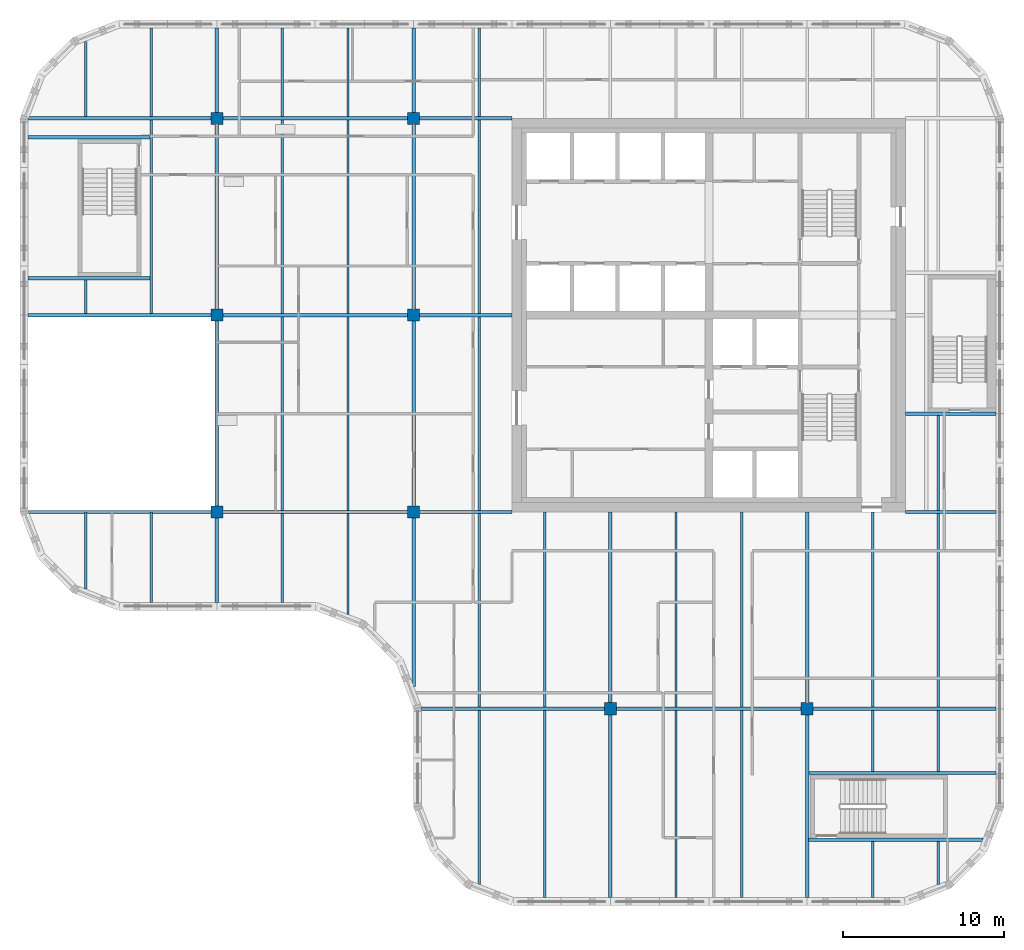
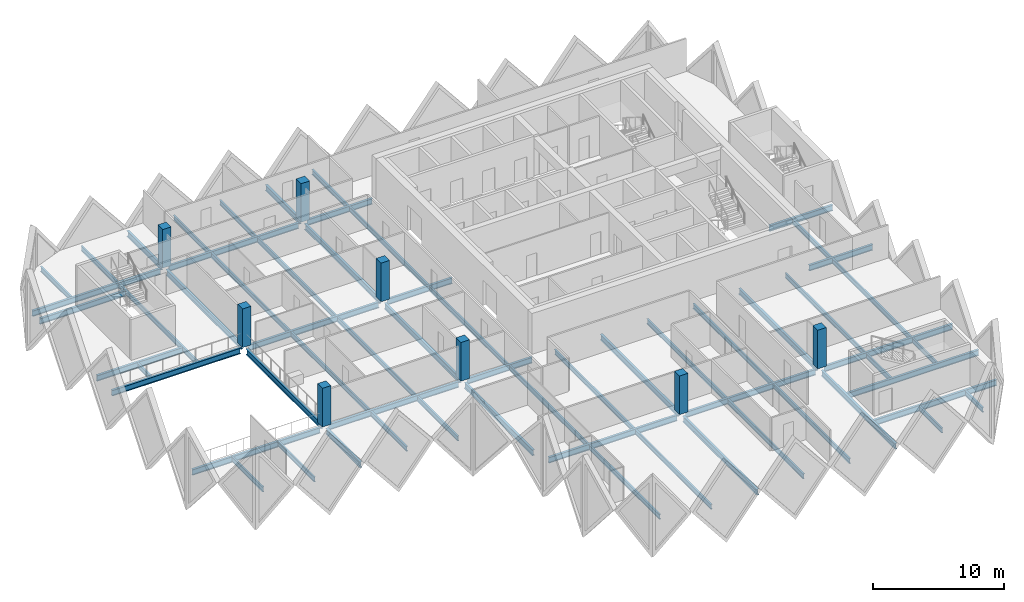
# One storey, part 1 of 12: 62 beams, 8 columns.
"""IFC4 building model written with IfcOpenShell, lengths in metres."""

from ifc_helpers import new_model, si_unit, direction, frame, origin, origin_2d, place, context, subcontext, project, spatial, rectangle, i_section, extrude, material, material_profile, profile_set, type_object, element, save


model = new_model("IFC4")

# Units and contexts
model_context = context("Model", 3, precision=1e-05, world=origin(), true_north=direction((0.0, 1.0)))
body_context = subcontext(model_context, "Body", "Model", "MODEL_VIEW")
ifc_project = project(units=[si_unit("LENGTHUNIT", "METRE"), si_unit("AREAUNIT", "SQUARE_METRE"), si_unit("VOLUMEUNIT", "CUBIC_METRE"), si_unit("PLANEANGLEUNIT", "RADIAN"), si_unit("MASSUNIT", "GRAM", prefix="KILO")], contexts=[model_context])

# Site, building, storey
site_placement = place(None, origin())
site = spatial("IfcSite", under=ifc_project, at=site_placement, CompositionType="ELEMENT")
building_placement = place(site_placement, origin())
building = spatial("IfcBuilding", under=site, at=building_placement, Name="Tessera Gate Towers", CompositionType="ELEMENT")
storey_placement = place(building_placement, frame((0.0, 0.0, 159.199951171875)))
storey = spatial("IfcBuildingStorey", under=building, at=storey_placement, Name="L39", CompositionType="ELEMENT", Elevation=159.199951171875)

# Columns
ifc_material_1 = material(Name="Concrete C70/85", Category="concrete")
ifc_material_profile_1 = material_profile(ifc_material_1, rectangle(XDim=0.75, YDim=0.75, at=origin_2d()), Name="RC 750x750")
ifc_profile_set_1 = profile_set([ifc_material_profile_1], Name="Concrete C70/85")
column_type = type_object("IfcColumnType", Name="COLUMN RC 750x750", PredefinedType="COLUMN", material=ifc_profile_set_1)
for number, where, z_axis, x_axis, name in (
    (1, (12.199951171875, 24.39990234375, 0.0), (0.0, 0.0, 1.0), (1.0, 0.0, 0.0), "T1-COL-2C-L39"),
    (2, (12.199951171875, 36.60009765625, 0.0), (0.0, 0.0, 1.0), (1.0, 0.0, 0.0), "T1-COL-2D-L39"),
    (3, (12.199951171875, 48.800048828125, 0.0), (0.0, 0.0, 1.0), (1.0, 0.0, 0.0), "T1-COL-2E-L39"),
    (4, (24.39990234375, 24.39990234375, 0.0), (0.0, 0.0, 1.0), (1.0, 0.0, 0.0), "T1-COL-3C-L39"),
    (5, (24.39990234375, 36.60009765625, 0.0), (0.0, 0.0, 1.0), (1.0, 0.0, 0.0), "T1-COL-3D-L39"),
    (6, (24.39990234375, 48.800048828125, 0.0), (0.0, 0.0, 1.0), (1.0, 0.0, 0.0), "T1-COL-3E-L39"),
    (7, (36.60009765625, 12.199951171875, 0.0), (0.0, 0.0, 1.0), (1.0, 0.0, 0.0), "T1-COL-4B-L39"),
    (8, (48.800048828125, 12.199951171875, 0.0), (0.0, 0.0, 1.0), (1.0, 0.0, 0.0), "T1-COL-5B-L39"),
):
    element("IfcColumn", number, at=place(storey_placement, frame(where, z_axis=z_axis, x_axis=x_axis)), inside=storey, type_object=column_type, Name=name, PredefinedType="COLUMN", context=body_context, shape_type="SweptSolid", body=[
        extrude(rectangle(XDim=0.75, YDim=0.75, at=origin_2d()), origin(), (0.0, 0.0, 1.0), 3.60009765625),
    ])

# Beams
ifc_material_2 = material(Name="Steel 350W", Category="steel")
ifc_material_profile_2 = material_profile(ifc_material_2, i_section(OverallWidth=0.208984375, OverallDepth=0.532958984375, WebThickness=0.01025390625, FlangeThickness=0.015625, at=origin_2d()), Name="W530x92")
ifc_profile_set_2 = profile_set([ifc_material_profile_2], Name="Steel 350W")
beam_type_1 = type_object("IfcBeamType", Name="FLOOR GIRDER W530x92", PredefinedType="BEAM", material=ifc_profile_set_2)
beam_1_placement = place(storey_placement, frame((24.89892578125, 12.199951171875, -0.466552734375), z_axis=(1.0, 0.0, 0.0), x_axis=(0.0, 1.0, 0.0)))
element("IfcBeam", 9, at=beam_1_placement, inside=storey, type_object=beam_type_1, Name="T1-GD-L39-4442", PredefinedType="BEAM", context=body_context, shape_type="SweptSolid", body=[
    extrude(i_section(OverallWidth=0.208984375, OverallDepth=0.532958984375, WebThickness=0.01025390625, FlangeThickness=0.015625, at=origin_2d()), origin(), (0.0, 0.0, 1.0), 11.326171875),
])
beam_2_placement = place(storey_placement, frame((36.97509765625, 12.199951171875, -0.466552734375), z_axis=(1.0, 0.0, 0.0), x_axis=(0.0, 1.0, 0.0)))
element("IfcBeam", 10, at=beam_2_placement, inside=storey, type_object=beam_type_1, Name="T1-GD-L39-4443", PredefinedType="BEAM", context=body_context, shape_type="SweptSolid", body=[
    extrude(i_section(OverallWidth=0.208984375, OverallDepth=0.532958984375, WebThickness=0.01025390625, FlangeThickness=0.015625, at=origin_2d()), origin(), (0.0, 0.0, 1.0), 11.449951171875),
])
beam_3_placement = place(storey_placement, frame((49.175048828125, 12.199951171875, -0.466552734375), z_axis=(1.0, 0.0, 0.0), x_axis=(0.0, 1.0, 0.0)))
element("IfcBeam", 11, at=beam_3_placement, inside=storey, type_object=beam_type_1, Name="T1-GD-L39-4444", PredefinedType="BEAM", context=body_context, shape_type="SweptSolid", body=[
    extrude(i_section(OverallWidth=0.208984375, OverallDepth=0.532958984375, WebThickness=0.01025390625, FlangeThickness=0.015625, at=origin_2d()), origin(), (0.0, 0.0, 1.0), 11.325927734375),
])
beam_4_placement = place(storey_placement, frame((0.534912109375, 24.39990234375, -0.466552734375), z_axis=(1.0, 0.0, 0.0), x_axis=(0.0, 1.0, 0.0)))
element("IfcBeam", 12, at=beam_4_placement, inside=storey, type_object=beam_type_1, Name="T1-GD-L39-4445", PredefinedType="BEAM", context=body_context, shape_type="SweptSolid", body=[
    extrude(i_section(OverallWidth=0.208984375, OverallDepth=0.532958984375, WebThickness=0.01025390625, FlangeThickness=0.015625, at=origin_2d()), origin(), (0.0, 0.0, 1.0), 11.2900390625),
])
beam_5_placement = place(storey_placement, frame((12.574951171875, 24.39990234375, -0.466552734375), z_axis=(1.0, 0.0, 0.0), x_axis=(0.0, 1.0, 0.0)))
element("IfcBeam", 13, at=beam_5_placement, inside=storey, type_object=beam_type_1, Name="T1-GD-L39-4446", PredefinedType="BEAM", context=body_context, shape_type="SweptSolid", body=[
    extrude(i_section(OverallWidth=0.208984375, OverallDepth=0.532958984375, WebThickness=0.01025390625, FlangeThickness=0.015625, at=origin_2d()), origin(), (0.0, 0.0, 1.0), 11.449951171875),
])
beam_6_placement = place(storey_placement, frame((24.77490234375, 24.39990234375, -0.466552734375), z_axis=(1.0, 0.0, 0.0), x_axis=(0.0, 1.0, 0.0)))
element("IfcBeam", 14, at=beam_6_placement, inside=storey, type_object=beam_type_1, Name="T1-GD-L39-4447", PredefinedType="BEAM", context=body_context, shape_type="SweptSolid", body=[
    extrude(i_section(OverallWidth=0.208984375, OverallDepth=0.532958984375, WebThickness=0.01025390625, FlangeThickness=0.015625, at=origin_2d()), origin(), (0.0, 0.0, 1.0), 5.72412109375),
])
beam_7_placement = place(storey_placement, frame((54.90087890625, 24.39990234375, -0.466552734375), z_axis=(1.0, 0.0, 0.0), x_axis=(0.0, 1.0, 0.0)))
element("IfcBeam", 15, at=beam_7_placement, inside=storey, type_object=beam_type_1, Name="T1-GD-L39-4448", PredefinedType="BEAM", context=body_context, shape_type="SweptSolid", body=[
    extrude(i_section(OverallWidth=0.208984375, OverallDepth=0.532958984375, WebThickness=0.01025390625, FlangeThickness=0.015625, at=origin_2d()), origin(), (0.0, 0.0, 1.0), 5.60009765625),
])
beam_8_placement = place(storey_placement, frame((0.4990234375, 36.60009765625, -0.466552734375), z_axis=(1.0, 0.0, 0.0), x_axis=(0.0, 1.0, 0.0)))
element("IfcBeam", 16, at=beam_8_placement, inside=storey, type_object=beam_type_1, Name="T1-GD-L39-4449", PredefinedType="BEAM", context=body_context, shape_type="SweptSolid", body=[
    extrude(i_section(OverallWidth=0.208984375, OverallDepth=0.532958984375, WebThickness=0.01025390625, FlangeThickness=0.015625, at=origin_2d()), origin(), (0.0, 0.0, 1.0), 11.325927734375),
])
beam_9_placement = place(storey_placement, frame((12.574951171875, 36.60009765625, -0.466552734375), z_axis=(1.0, 0.0, 0.0), x_axis=(0.0, 1.0, 0.0)))
element("IfcBeam", 17, at=beam_9_placement, inside=storey, type_object=beam_type_1, Name="T1-GD-L39-4450", PredefinedType="BEAM", context=body_context, shape_type="SweptSolid", body=[
    extrude(i_section(OverallWidth=0.208984375, OverallDepth=0.532958984375, WebThickness=0.01025390625, FlangeThickness=0.015625, at=origin_2d()), origin(), (0.0, 0.0, 1.0), 11.449951171875),
])
beam_10_placement = place(storey_placement, frame((24.77490234375, 36.60009765625, -0.466552734375), z_axis=(1.0, 0.0, 0.0), x_axis=(0.0, 1.0, 0.0)))
element("IfcBeam", 18, at=beam_10_placement, inside=storey, type_object=beam_type_1, Name="T1-GD-L39-4451", PredefinedType="BEAM", context=body_context, shape_type="SweptSolid", body=[
    extrude(i_section(OverallWidth=0.208984375, OverallDepth=0.532958984375, WebThickness=0.01025390625, FlangeThickness=0.015625, at=origin_2d()), origin(), (0.0, 0.0, 1.0), 5.72607421875),
])
beam_11_placement = place(storey_placement, frame((0.534912109375, 48.800048828125, -0.466552734375), z_axis=(1.0, 0.0, 0.0), x_axis=(0.0, 1.0, 0.0)))
element("IfcBeam", 19, at=beam_11_placement, inside=storey, type_object=beam_type_1, Name="T1-GD-L39-4453", PredefinedType="BEAM", context=body_context, shape_type="SweptSolid", body=[
    extrude(i_section(OverallWidth=0.208984375, OverallDepth=0.532958984375, WebThickness=0.01025390625, FlangeThickness=0.015625, at=origin_2d()), origin(), (0.0, 0.0, 1.0), 11.2900390625),
])
beam_12_placement = place(storey_placement, frame((12.574951171875, 48.800048828125, -0.466552734375), z_axis=(1.0, 0.0, 0.0), x_axis=(0.0, 1.0, 0.0)))
element("IfcBeam", 20, at=beam_12_placement, inside=storey, type_object=beam_type_1, Name="T1-GD-L39-4454", PredefinedType="BEAM", context=body_context, shape_type="SweptSolid", body=[
    extrude(i_section(OverallWidth=0.208984375, OverallDepth=0.532958984375, WebThickness=0.01025390625, FlangeThickness=0.015625, at=origin_2d()), origin(), (0.0, 0.0, 1.0), 11.449951171875),
])
beam_13_placement = place(storey_placement, frame((24.77490234375, 48.800048828125, -0.466552734375), z_axis=(1.0, 0.0, 0.0), x_axis=(0.0, 1.0, 0.0)))
element("IfcBeam", 21, at=beam_13_placement, inside=storey, type_object=beam_type_1, Name="T1-GD-L39-4455", PredefinedType="BEAM", context=body_context, shape_type="SweptSolid", body=[
    extrude(i_section(OverallWidth=0.208984375, OverallDepth=0.532958984375, WebThickness=0.01025390625, FlangeThickness=0.015625, at=origin_2d()), origin(), (0.0, 0.0, 1.0), 5.72412109375),
])
beam_14_placement = place(storey_placement, frame((12.199951171875, 18.799072265625, -0.466552734375), z_axis=(0.0, 1.0, 0.0), x_axis=(-1.0, 0.0, 0.0)))
element("IfcBeam", 22, at=beam_14_placement, inside=storey, type_object=beam_type_1, Name="T1-GD-L39-4457", PredefinedType="BEAM", context=body_context, shape_type="SweptSolid", body=[
    extrude(i_section(OverallWidth=0.208984375, OverallDepth=0.532958984375, WebThickness=0.01025390625, FlangeThickness=0.015625, at=origin_2d()), origin(), (0.0, 0.0, 1.0), 5.225830078125),
])
beam_15_placement = place(storey_placement, frame((12.199951171875, 24.77490234375, -0.466552734375), z_axis=(0.0, 1.0, 0.0), x_axis=(-1.0, 0.0, 0.0)))
element("IfcBeam", 23, at=beam_15_placement, inside=storey, type_object=beam_type_1, Name="T1-GD-L39-4458", PredefinedType="BEAM", context=body_context, shape_type="SweptSolid", body=[
    extrude(i_section(OverallWidth=0.208984375, OverallDepth=0.532958984375, WebThickness=0.01025390625, FlangeThickness=0.015625, at=origin_2d()), origin(), (0.0, 0.0, 1.0), 11.4501953125),
])
beam_16_placement = place(storey_placement, frame((12.199951171875, 36.97509765625, -0.466552734375), z_axis=(0.0, 1.0, 0.0), x_axis=(-1.0, 0.0, 0.0)))
element("IfcBeam", 24, at=beam_16_placement, inside=storey, type_object=beam_type_1, Name="T1-GD-L39-4459", PredefinedType="BEAM", context=body_context, shape_type="SweptSolid", body=[
    extrude(i_section(OverallWidth=0.208984375, OverallDepth=0.532958984375, WebThickness=0.01025390625, FlangeThickness=0.015625, at=origin_2d()), origin(), (0.0, 0.0, 1.0), 11.449951171875),
])
beam_17_placement = place(storey_placement, frame((12.199951171875, 49.175048828125, -0.466552734375), z_axis=(0.0, 1.0, 0.0), x_axis=(-1.0, 0.0, 0.0)))
element("IfcBeam", 25, at=beam_17_placement, inside=storey, type_object=beam_type_1, Name="T1-GD-L39-4460", PredefinedType="BEAM", context=body_context, shape_type="SweptSolid", body=[
    extrude(i_section(OverallWidth=0.208984375, OverallDepth=0.532958984375, WebThickness=0.01025390625, FlangeThickness=0.015625, at=origin_2d()), origin(), (0.0, 0.0, 1.0), 5.225830078125),
])
beam_18_placement = place(storey_placement, frame((24.39990234375, 13.58642578125, -0.466552734375), z_axis=(0.0, 1.0, 0.0), x_axis=(-1.0, 0.0, 0.0)))
element("IfcBeam", 26, at=beam_18_placement, inside=storey, type_object=beam_type_1, Name="T1-GD-L39-4461", PredefinedType="BEAM", context=body_context, shape_type="SweptSolid", body=[
    extrude(i_section(OverallWidth=0.208984375, OverallDepth=0.532958984375, WebThickness=0.01025390625, FlangeThickness=0.015625, at=origin_2d()), origin(), (0.0, 0.0, 1.0), 10.4384765625),
])
beam_19_placement = place(storey_placement, frame((24.39990234375, 24.77490234375, -0.466552734375), z_axis=(0.0, 1.0, 0.0), x_axis=(-1.0, 0.0, 0.0)))
element("IfcBeam", 27, at=beam_19_placement, inside=storey, type_object=beam_type_1, Name="T1-GD-L39-4462", PredefinedType="BEAM", context=body_context, shape_type="SweptSolid", body=[
    extrude(i_section(OverallWidth=0.208984375, OverallDepth=0.532958984375, WebThickness=0.01025390625, FlangeThickness=0.015625, at=origin_2d()), origin(), (0.0, 0.0, 1.0), 11.4501953125),
])
beam_20_placement = place(storey_placement, frame((24.39990234375, 36.97509765625, -0.466552734375), z_axis=(0.0, 1.0, 0.0), x_axis=(-1.0, 0.0, 0.0)))
element("IfcBeam", 28, at=beam_20_placement, inside=storey, type_object=beam_type_1, Name="T1-GD-L39-4463", PredefinedType="BEAM", context=body_context, shape_type="SweptSolid", body=[
    extrude(i_section(OverallWidth=0.208984375, OverallDepth=0.532958984375, WebThickness=0.01025390625, FlangeThickness=0.015625, at=origin_2d()), origin(), (0.0, 0.0, 1.0), 11.449951171875),
])
beam_21_placement = place(storey_placement, frame((24.39990234375, 49.175048828125, -0.466552734375), z_axis=(0.0, 1.0, 0.0), x_axis=(-1.0, 0.0, 0.0)))
element("IfcBeam", 29, at=beam_21_placement, inside=storey, type_object=beam_type_1, Name="T1-GD-L39-4464", PredefinedType="BEAM", context=body_context, shape_type="SweptSolid", body=[
    extrude(i_section(OverallWidth=0.208984375, OverallDepth=0.532958984375, WebThickness=0.01025390625, FlangeThickness=0.015625, at=origin_2d()), origin(), (0.0, 0.0, 1.0), 5.225830078125),
])
beam_22_placement = place(storey_placement, frame((36.60009765625, 0.4990234375, -0.466552734375), z_axis=(0.0, 1.0, 0.0), x_axis=(-1.0, 0.0, 0.0)))
element("IfcBeam", 30, at=beam_22_placement, inside=storey, type_object=beam_type_1, Name="T1-GD-L39-4465", PredefinedType="BEAM", context=body_context, shape_type="SweptSolid", body=[
    extrude(i_section(OverallWidth=0.208984375, OverallDepth=0.532958984375, WebThickness=0.01025390625, FlangeThickness=0.015625, at=origin_2d()), origin(), (0.0, 0.0, 1.0), 11.325927734375),
])
beam_23_placement = place(storey_placement, frame((36.60009765625, 12.574951171875, -0.466552734375), z_axis=(0.0, 1.0, 0.0), x_axis=(-1.0, 0.0, 0.0)))
element("IfcBeam", 31, at=beam_23_placement, inside=storey, type_object=beam_type_1, Name="T1-GD-L39-4466", PredefinedType="BEAM", context=body_context, shape_type="SweptSolid", body=[
    extrude(i_section(OverallWidth=0.208984375, OverallDepth=0.532958984375, WebThickness=0.01025390625, FlangeThickness=0.015625, at=origin_2d()), origin(), (0.0, 0.0, 1.0), 11.824951171875),
])
beam_24_placement = place(storey_placement, frame((48.800048828125, 0.4990234375, -0.466552734375), z_axis=(0.0, 1.0, 0.0), x_axis=(-1.0, 0.0, 0.0)))
element("IfcBeam", 32, at=beam_24_placement, inside=storey, type_object=beam_type_1, Name="T1-GD-L39-4467", PredefinedType="BEAM", context=body_context, shape_type="SweptSolid", body=[
    extrude(i_section(OverallWidth=0.208984375, OverallDepth=0.532958984375, WebThickness=0.01025390625, FlangeThickness=0.015625, at=origin_2d()), origin(), (0.0, 0.0, 1.0), 11.325927734375),
])
beam_25_placement = place(storey_placement, frame((48.800048828125, 12.574951171875, -0.466552734375), z_axis=(0.0, 1.0, 0.0), x_axis=(-1.0, 0.0, 0.0)))
element("IfcBeam", 33, at=beam_25_placement, inside=storey, type_object=beam_type_1, Name="T1-GD-L39-4468", PredefinedType="BEAM", context=body_context, shape_type="SweptSolid", body=[
    extrude(i_section(OverallWidth=0.208984375, OverallDepth=0.532958984375, WebThickness=0.01025390625, FlangeThickness=0.015625, at=origin_2d()), origin(), (0.0, 0.0, 1.0), 11.824951171875),
])
for number, where, z_axis, x_axis, name in (
    (34, (0.4990234375, 38.8798828125, -0.466552734375), (1.0, 0.0, 0.0), (0.0, 1.0, 0.0), "T1-GD-L39-4469"),
    (35, (0.4990234375, 47.6201171875, -0.466552734375), (1.0, 0.0, 0.0), (0.0, 1.0, 0.0), "T1-GD-L39-4470"),
):
    element("IfcBeam", number, at=place(storey_placement, frame(where, z_axis=z_axis, x_axis=x_axis)), inside=storey, type_object=beam_type_1, Name=name, PredefinedType="BEAM", context=body_context, shape_type="SweptSolid", body=[
        extrude(i_section(OverallWidth=0.208984375, OverallDepth=0.532958984375, WebThickness=0.01025390625, FlangeThickness=0.015625, at=origin_2d()), origin(), (0.0, 0.0, 1.0), 7.557861328125),
    ])
beam_26_placement = place(storey_placement, frame((48.87646484375, 4.080078125, -0.466552734375), z_axis=(1.0, 0.0, 0.0), x_axis=(0.0, 1.0, 0.0)))
element("IfcBeam", 36, at=beam_26_placement, inside=storey, type_object=beam_type_1, Name="T1-GD-L39-4471", PredefinedType="BEAM", context=body_context, shape_type="SweptSolid", body=[
    extrude(i_section(OverallWidth=0.208984375, OverallDepth=0.532958984375, WebThickness=0.01025390625, FlangeThickness=0.015625, at=origin_2d()), origin(), (0.0, 0.0, 1.0), 10.809326171875),
])
beam_27_placement = place(storey_placement, frame((48.87646484375, 8.219970703125, -0.466552734375), z_axis=(1.0, 0.0, 0.0), x_axis=(0.0, 1.0, 0.0)))
element("IfcBeam", 37, at=beam_27_placement, inside=storey, type_object=beam_type_1, Name="T1-GD-L39-4472", PredefinedType="BEAM", context=body_context, shape_type="SweptSolid", body=[
    extrude(i_section(OverallWidth=0.208984375, OverallDepth=0.532958984375, WebThickness=0.01025390625, FlangeThickness=0.015625, at=origin_2d()), origin(), (0.0, 0.0, 1.0), 11.62451171875),
])
beam_28_placement = place(storey_placement, frame((54.89892578125, 30.47998046875, -0.466552734375), z_axis=(1.0, 0.0, 0.0), x_axis=(0.0, 1.0, 0.0)))
element("IfcBeam", 38, at=beam_28_placement, inside=storey, type_object=beam_type_1, Name="T1-GD-L39-4473", PredefinedType="BEAM", context=body_context, shape_type="SweptSolid", body=[
    extrude(i_section(OverallWidth=0.208984375, OverallDepth=0.532958984375, WebThickness=0.01025390625, FlangeThickness=0.015625, at=origin_2d()), origin(), (0.0, 0.0, 1.0), 5.60205078125),
])
ifc_material_3 = material(Name="Steel 350W", Category="steel")
ifc_material_profile_3 = material_profile(ifc_material_3, i_section(OverallWidth=0.153076171875, OverallDepth=0.455078125, WebThickness=0.008056640625, FlangeThickness=0.01318359375, at=origin_2d()), Name="W460x60")
ifc_profile_set_3 = profile_set([ifc_material_profile_3], Name="Steel 350W")
beam_type_2 = type_object("IfcBeamType", Name="FLOOR SECONDARY W460x60", PredefinedType="BEAM", material=ifc_profile_set_3)
beam_29_placement = place(storey_placement, frame((4.066650390625, 19.620361328125, -0.427490234375), z_axis=(0.0, 1.0, 0.0), x_axis=(-1.0, 0.0, 0.0)))
element("IfcBeam", 39, at=beam_29_placement, inside=storey, type_object=beam_type_2, Name="T1-BM-L39-4476", PredefinedType="BEAM", context=body_context, shape_type="SweptSolid", body=[
    extrude(i_section(OverallWidth=0.153076171875, OverallDepth=0.455078125, WebThickness=0.008056640625, FlangeThickness=0.01318359375, at=origin_2d()), origin(), (0.0, 0.0, 1.0), 4.779541015625),
])
beam_30_placement = place(storey_placement, frame((4.066650390625, 36.70458984375, -0.427490234375), z_axis=(0.0, 1.0, 0.0), x_axis=(-1.0, 0.0, 0.0)))
element("IfcBeam", 40, at=beam_30_placement, inside=storey, type_object=beam_type_2, Name="T1-BM-L39-4477", PredefinedType="BEAM", context=body_context, shape_type="SweptSolid", body=[
    extrude(i_section(OverallWidth=0.153076171875, OverallDepth=0.455078125, WebThickness=0.008056640625, FlangeThickness=0.01318359375, at=origin_2d()), origin(), (0.0, 0.0, 1.0), 2.07080078125),
])
beam_31_placement = place(storey_placement, frame((4.066650390625, 48.904541015625, -0.427490234375), z_axis=(0.0, 1.0, 0.0), x_axis=(-1.0, 0.0, 0.0)))
element("IfcBeam", 41, at=beam_31_placement, inside=storey, type_object=beam_type_2, Name="T1-BM-L39-4478", PredefinedType="BEAM", context=body_context, shape_type="SweptSolid", body=[
    extrude(i_section(OverallWidth=0.153076171875, OverallDepth=0.455078125, WebThickness=0.008056640625, FlangeThickness=0.01318359375, at=origin_2d()), origin(), (0.0, 0.0, 1.0), 4.675048828125),
])
beam_32_placement = place(storey_placement, frame((8.13330078125, 18.800048828125, -0.427490234375), z_axis=(0.0, 1.0, 0.0), x_axis=(-1.0, 0.0, 0.0)))
element("IfcBeam", 42, at=beam_32_placement, inside=storey, type_object=beam_type_2, Name="T1-BM-L39-4479", PredefinedType="BEAM", context=body_context, shape_type="SweptSolid", body=[
    extrude(i_section(OverallWidth=0.153076171875, OverallDepth=0.455078125, WebThickness=0.008056640625, FlangeThickness=0.01318359375, at=origin_2d()), origin(), (0.0, 0.0, 1.0), 5.599853515625),
])
beam_33_placement = place(storey_placement, frame((8.13330078125, 36.70458984375, -0.427490234375), z_axis=(0.0, 1.0, 0.0), x_axis=(-1.0, 0.0, 0.0)))
element("IfcBeam", 43, at=beam_33_placement, inside=storey, type_object=beam_type_2, Name="T1-BM-L39-4480", PredefinedType="BEAM", context=body_context, shape_type="SweptSolid", body=[
    extrude(i_section(OverallWidth=0.153076171875, OverallDepth=0.455078125, WebThickness=0.008056640625, FlangeThickness=0.01318359375, at=origin_2d()), origin(), (0.0, 0.0, 1.0), 11.990966796875),
])
for number, where, z_axis, x_axis, name in (
    (44, (8.13330078125, 48.904541015625, -0.427490234375), (0.0, 1.0, 0.0), (-1.0, 0.0, 0.0), "T1-BM-L39-4481"),
    (45, (16.2666015625, 18.800048828125, -0.427490234375), (0.0, 1.0, 0.0), (-1.0, 0.0, 0.0), "T1-BM-L39-4482"),
):
    element("IfcBeam", number, at=place(storey_placement, frame(where, z_axis=z_axis, x_axis=x_axis)), inside=storey, type_object=beam_type_2, Name=name, PredefinedType="BEAM", context=body_context, shape_type="SweptSolid", body=[
        extrude(i_section(OverallWidth=0.153076171875, OverallDepth=0.455078125, WebThickness=0.008056640625, FlangeThickness=0.01318359375, at=origin_2d()), origin(), (0.0, 0.0, 1.0), 5.495361328125),
    ])
beam_34_placement = place(storey_placement, frame((16.2666015625, 24.50439453125, -0.427490234375), z_axis=(0.0, 1.0, 0.0), x_axis=(-1.0, 0.0, 0.0)))
element("IfcBeam", 46, at=beam_34_placement, inside=storey, type_object=beam_type_2, Name="T1-BM-L39-4483", PredefinedType="BEAM", context=body_context, shape_type="SweptSolid", body=[
    extrude(i_section(OverallWidth=0.153076171875, OverallDepth=0.455078125, WebThickness=0.008056640625, FlangeThickness=0.01318359375, at=origin_2d()), origin(), (0.0, 0.0, 1.0), 11.9912109375),
])
beam_35_placement = place(storey_placement, frame((16.2666015625, 36.70458984375, -0.427490234375), z_axis=(0.0, 1.0, 0.0), x_axis=(-1.0, 0.0, 0.0)))
element("IfcBeam", 47, at=beam_35_placement, inside=storey, type_object=beam_type_2, Name="T1-BM-L39-4484", PredefinedType="BEAM", context=body_context, shape_type="SweptSolid", body=[
    extrude(i_section(OverallWidth=0.153076171875, OverallDepth=0.455078125, WebThickness=0.008056640625, FlangeThickness=0.01318359375, at=origin_2d()), origin(), (0.0, 0.0, 1.0), 11.990966796875),
])
beam_36_placement = place(storey_placement, frame((16.2666015625, 48.904541015625, -0.427490234375), z_axis=(0.0, 1.0, 0.0), x_axis=(-1.0, 0.0, 0.0)))
element("IfcBeam", 48, at=beam_36_placement, inside=storey, type_object=beam_type_2, Name="T1-BM-L39-4485", PredefinedType="BEAM", context=body_context, shape_type="SweptSolid", body=[
    extrude(i_section(OverallWidth=0.153076171875, OverallDepth=0.455078125, WebThickness=0.008056640625, FlangeThickness=0.01318359375, at=origin_2d()), origin(), (0.0, 0.0, 1.0), 5.495361328125),
])
beam_37_placement = place(storey_placement, frame((20.333251953125, 18.051513671875, -0.427490234375), z_axis=(0.0, 1.0, 0.0), x_axis=(-1.0, 0.0, 0.0)))
element("IfcBeam", 49, at=beam_37_placement, inside=storey, type_object=beam_type_2, Name="T1-BM-L39-4486", PredefinedType="BEAM", context=body_context, shape_type="SweptSolid", body=[
    extrude(i_section(OverallWidth=0.153076171875, OverallDepth=0.455078125, WebThickness=0.008056640625, FlangeThickness=0.01318359375, at=origin_2d()), origin(), (0.0, 0.0, 1.0), 6.243896484375),
])
beam_38_placement = place(storey_placement, frame((20.333251953125, 24.50439453125, -0.427490234375), z_axis=(0.0, 1.0, 0.0), x_axis=(-1.0, 0.0, 0.0)))
element("IfcBeam", 50, at=beam_38_placement, inside=storey, type_object=beam_type_2, Name="T1-BM-L39-4487", PredefinedType="BEAM", context=body_context, shape_type="SweptSolid", body=[
    extrude(i_section(OverallWidth=0.153076171875, OverallDepth=0.455078125, WebThickness=0.008056640625, FlangeThickness=0.01318359375, at=origin_2d()), origin(), (0.0, 0.0, 1.0), 11.9912109375),
])
beam_39_placement = place(storey_placement, frame((20.333251953125, 36.70458984375, -0.427490234375), z_axis=(0.0, 1.0, 0.0), x_axis=(-1.0, 0.0, 0.0)))
element("IfcBeam", 51, at=beam_39_placement, inside=storey, type_object=beam_type_2, Name="T1-BM-L39-4488", PredefinedType="BEAM", context=body_context, shape_type="SweptSolid", body=[
    extrude(i_section(OverallWidth=0.153076171875, OverallDepth=0.455078125, WebThickness=0.008056640625, FlangeThickness=0.01318359375, at=origin_2d()), origin(), (0.0, 0.0, 1.0), 11.990966796875),
])
beam_40_placement = place(storey_placement, frame((20.333251953125, 48.904541015625, -0.427490234375), z_axis=(0.0, 1.0, 0.0), x_axis=(-1.0, 0.0, 0.0)))
element("IfcBeam", 52, at=beam_40_placement, inside=storey, type_object=beam_type_2, Name="T1-BM-L39-4489", PredefinedType="BEAM", context=body_context, shape_type="SweptSolid", body=[
    extrude(i_section(OverallWidth=0.153076171875, OverallDepth=0.455078125, WebThickness=0.008056640625, FlangeThickness=0.01318359375, at=origin_2d()), origin(), (0.0, 0.0, 1.0), 5.495361328125),
])
beam_41_placement = place(storey_placement, frame((28.466796875, 1.3203125, -0.427490234375), z_axis=(0.0, 1.0, 0.0), x_axis=(-1.0, 0.0, 0.0)))
element("IfcBeam", 53, at=beam_41_placement, inside=storey, type_object=beam_type_2, Name="T1-BM-L39-4490", PredefinedType="BEAM", context=body_context, shape_type="SweptSolid", body=[
    extrude(i_section(OverallWidth=0.153076171875, OverallDepth=0.455078125, WebThickness=0.008056640625, FlangeThickness=0.01318359375, at=origin_2d()), origin(), (0.0, 0.0, 1.0), 10.775146484375),
])
beam_42_placement = place(storey_placement, frame((28.466796875, 12.304443359375, -0.427490234375), z_axis=(0.0, 1.0, 0.0), x_axis=(-1.0, 0.0, 0.0)))
element("IfcBeam", 54, at=beam_42_placement, inside=storey, type_object=beam_type_2, Name="T1-BM-L39-4491", PredefinedType="BEAM", context=body_context, shape_type="SweptSolid", body=[
    extrude(i_section(OverallWidth=0.153076171875, OverallDepth=0.455078125, WebThickness=0.008056640625, FlangeThickness=0.01318359375, at=origin_2d()), origin(), (0.0, 0.0, 1.0), 11.990966796875),
])
beam_43_placement = place(storey_placement, frame((28.466796875, 24.50439453125, -0.427490234375), z_axis=(0.0, 1.0, 0.0), x_axis=(-1.0, 0.0, 0.0)))
element("IfcBeam", 55, at=beam_43_placement, inside=storey, type_object=beam_type_2, Name="T1-BM-L39-4492", PredefinedType="BEAM", context=body_context, shape_type="SweptSolid", body=[
    extrude(i_section(OverallWidth=0.153076171875, OverallDepth=0.455078125, WebThickness=0.008056640625, FlangeThickness=0.01318359375, at=origin_2d()), origin(), (0.0, 0.0, 1.0), 11.9912109375),
])
beam_44_placement = place(storey_placement, frame((28.466796875, 36.70458984375, -0.427490234375), z_axis=(0.0, 1.0, 0.0), x_axis=(-1.0, 0.0, 0.0)))
element("IfcBeam", 56, at=beam_44_placement, inside=storey, type_object=beam_type_2, Name="T1-BM-L39-4493", PredefinedType="BEAM", context=body_context, shape_type="SweptSolid", body=[
    extrude(i_section(OverallWidth=0.153076171875, OverallDepth=0.455078125, WebThickness=0.008056640625, FlangeThickness=0.01318359375, at=origin_2d()), origin(), (0.0, 0.0, 1.0), 11.990966796875),
])
beam_45_placement = place(storey_placement, frame((28.466796875, 48.904541015625, -0.427490234375), z_axis=(0.0, 1.0, 0.0), x_axis=(-1.0, 0.0, 0.0)))
element("IfcBeam", 57, at=beam_45_placement, inside=storey, type_object=beam_type_2, Name="T1-BM-L39-4494", PredefinedType="BEAM", context=body_context, shape_type="SweptSolid", body=[
    extrude(i_section(OverallWidth=0.153076171875, OverallDepth=0.455078125, WebThickness=0.008056640625, FlangeThickness=0.01318359375, at=origin_2d()), origin(), (0.0, 0.0, 1.0), 5.495361328125),
])
beam_46_placement = place(storey_placement, frame((32.533203125, 0.5, -0.427490234375), z_axis=(0.0, 1.0, 0.0), x_axis=(-1.0, 0.0, 0.0)))
element("IfcBeam", 58, at=beam_46_placement, inside=storey, type_object=beam_type_2, Name="T1-BM-L39-4495", PredefinedType="BEAM", context=body_context, shape_type="SweptSolid", body=[
    extrude(i_section(OverallWidth=0.153076171875, OverallDepth=0.455078125, WebThickness=0.008056640625, FlangeThickness=0.01318359375, at=origin_2d()), origin(), (0.0, 0.0, 1.0), 11.595458984375),
])
beam_47_placement = place(storey_placement, frame((32.533203125, 12.304443359375, -0.427490234375), z_axis=(0.0, 1.0, 0.0), x_axis=(-1.0, 0.0, 0.0)))
element("IfcBeam", 59, at=beam_47_placement, inside=storey, type_object=beam_type_2, Name="T1-BM-L39-4496", PredefinedType="BEAM", context=body_context, shape_type="SweptSolid", body=[
    extrude(i_section(OverallWidth=0.153076171875, OverallDepth=0.455078125, WebThickness=0.008056640625, FlangeThickness=0.01318359375, at=origin_2d()), origin(), (0.0, 0.0, 1.0), 12.095458984375),
])
beam_48_placement = place(storey_placement, frame((40.666748046875, 0.5, -0.427490234375), z_axis=(0.0, 1.0, 0.0), x_axis=(-1.0, 0.0, 0.0)))
element("IfcBeam", 60, at=beam_48_placement, inside=storey, type_object=beam_type_2, Name="T1-BM-L39-4499", PredefinedType="BEAM", context=body_context, shape_type="SweptSolid", body=[
    extrude(i_section(OverallWidth=0.153076171875, OverallDepth=0.455078125, WebThickness=0.008056640625, FlangeThickness=0.01318359375, at=origin_2d()), origin(), (0.0, 0.0, 1.0), 11.595458984375),
])
beam_49_placement = place(storey_placement, frame((40.666748046875, 12.304443359375, -0.427490234375), z_axis=(0.0, 1.0, 0.0), x_axis=(-1.0, 0.0, 0.0)))
element("IfcBeam", 61, at=beam_49_placement, inside=storey, type_object=beam_type_2, Name="T1-BM-L39-4500", PredefinedType="BEAM", context=body_context, shape_type="SweptSolid", body=[
    extrude(i_section(OverallWidth=0.153076171875, OverallDepth=0.455078125, WebThickness=0.008056640625, FlangeThickness=0.01318359375, at=origin_2d()), origin(), (0.0, 0.0, 1.0), 12.095458984375),
])
beam_50_placement = place(storey_placement, frame((44.7333984375, 0.5, -0.427490234375), z_axis=(0.0, 1.0, 0.0), x_axis=(-1.0, 0.0, 0.0)))
element("IfcBeam", 62, at=beam_50_placement, inside=storey, type_object=beam_type_2, Name="T1-BM-L39-4502", PredefinedType="BEAM", context=body_context, shape_type="SweptSolid", body=[
    extrude(i_section(OverallWidth=0.153076171875, OverallDepth=0.455078125, WebThickness=0.008056640625, FlangeThickness=0.01318359375, at=origin_2d()), origin(), (0.0, 0.0, 1.0), 11.595458984375),
])
beam_51_placement = place(storey_placement, frame((44.7333984375, 12.304443359375, -0.427490234375), z_axis=(0.0, 1.0, 0.0), x_axis=(-1.0, 0.0, 0.0)))
element("IfcBeam", 63, at=beam_51_placement, inside=storey, type_object=beam_type_2, Name="T1-BM-L39-4503", PredefinedType="BEAM", context=body_context, shape_type="SweptSolid", body=[
    extrude(i_section(OverallWidth=0.153076171875, OverallDepth=0.455078125, WebThickness=0.008056640625, FlangeThickness=0.01318359375, at=origin_2d()), origin(), (0.0, 0.0, 1.0), 12.095458984375),
])
beam_52_placement = place(storey_placement, frame((52.86669921875, 0.5, -0.427490234375), z_axis=(0.0, 1.0, 0.0), x_axis=(-1.0, 0.0, 0.0)))
element("IfcBeam", 64, at=beam_52_placement, inside=storey, type_object=beam_type_2, Name="T1-BM-L39-4506", PredefinedType="BEAM", context=body_context, shape_type="SweptSolid", body=[
    extrude(i_section(OverallWidth=0.153076171875, OverallDepth=0.455078125, WebThickness=0.008056640625, FlangeThickness=0.01318359375, at=origin_2d()), origin(), (0.0, 0.0, 1.0), 3.4755859375),
])
beam_53_placement = place(storey_placement, frame((52.86669921875, 8.324462890625, -0.427490234375), z_axis=(0.0, 1.0, 0.0), x_axis=(-1.0, 0.0, 0.0)))
element("IfcBeam", 65, at=beam_53_placement, inside=storey, type_object=beam_type_2, Name="T1-BM-L39-4507", PredefinedType="BEAM", context=body_context, shape_type="SweptSolid", body=[
    extrude(i_section(OverallWidth=0.153076171875, OverallDepth=0.455078125, WebThickness=0.008056640625, FlangeThickness=0.01318359375, at=origin_2d()), origin(), (0.0, 0.0, 1.0), 3.77099609375),
])
beam_54_placement = place(storey_placement, frame((52.86669921875, 12.304443359375, -0.427490234375), z_axis=(0.0, 1.0, 0.0), x_axis=(-1.0, 0.0, 0.0)))
element("IfcBeam", 66, at=beam_54_placement, inside=storey, type_object=beam_type_2, Name="T1-BM-L39-4508", PredefinedType="BEAM", context=body_context, shape_type="SweptSolid", body=[
    extrude(i_section(OverallWidth=0.153076171875, OverallDepth=0.455078125, WebThickness=0.008056640625, FlangeThickness=0.01318359375, at=origin_2d()), origin(), (0.0, 0.0, 1.0), 12.095458984375),
])
beam_55_placement = place(storey_placement, frame((56.933349609375, 1.3203125, -0.427490234375), z_axis=(0.0, 1.0, 0.0), x_axis=(-1.0, 0.0, 0.0)))
element("IfcBeam", 67, at=beam_55_placement, inside=storey, type_object=beam_type_2, Name="T1-BM-L39-4510", PredefinedType="BEAM", context=body_context, shape_type="SweptSolid", body=[
    extrude(i_section(OverallWidth=0.153076171875, OverallDepth=0.455078125, WebThickness=0.008056640625, FlangeThickness=0.01318359375, at=origin_2d()), origin(), (0.0, 0.0, 1.0), 2.6552734375),
])
beam_56_placement = place(storey_placement, frame((56.933349609375, 8.324462890625, -0.427490234375), z_axis=(0.0, 1.0, 0.0), x_axis=(-1.0, 0.0, 0.0)))
element("IfcBeam", 68, at=beam_56_placement, inside=storey, type_object=beam_type_2, Name="T1-BM-L39-4511", PredefinedType="BEAM", context=body_context, shape_type="SweptSolid", body=[
    extrude(i_section(OverallWidth=0.153076171875, OverallDepth=0.455078125, WebThickness=0.008056640625, FlangeThickness=0.01318359375, at=origin_2d()), origin(), (0.0, 0.0, 1.0), 3.77099609375),
])
beam_57_placement = place(storey_placement, frame((56.933349609375, 12.304443359375, -0.427490234375), z_axis=(0.0, 1.0, 0.0), x_axis=(-1.0, 0.0, 0.0)))
element("IfcBeam", 69, at=beam_57_placement, inside=storey, type_object=beam_type_2, Name="T1-BM-L39-4512", PredefinedType="BEAM", context=body_context, shape_type="SweptSolid", body=[
    extrude(i_section(OverallWidth=0.153076171875, OverallDepth=0.455078125, WebThickness=0.008056640625, FlangeThickness=0.01318359375, at=origin_2d()), origin(), (0.0, 0.0, 1.0), 11.990966796875),
])
beam_58_placement = place(storey_placement, frame((56.933349609375, 24.50439453125, -0.427490234375), z_axis=(0.0, 1.0, 0.0), x_axis=(-1.0, 0.0, 0.0)))
element("IfcBeam", 70, at=beam_58_placement, inside=storey, type_object=beam_type_2, Name="T1-BM-L39-4513", PredefinedType="BEAM", context=body_context, shape_type="SweptSolid", body=[
    extrude(i_section(OverallWidth=0.153076171875, OverallDepth=0.455078125, WebThickness=0.008056640625, FlangeThickness=0.01318359375, at=origin_2d()), origin(), (0.0, 0.0, 1.0), 5.87109375),
])

save(model, "model.ifc")
